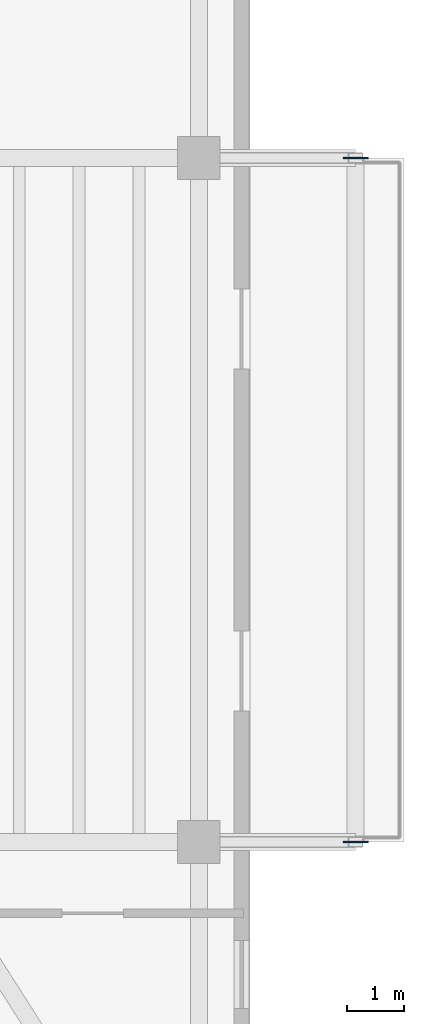
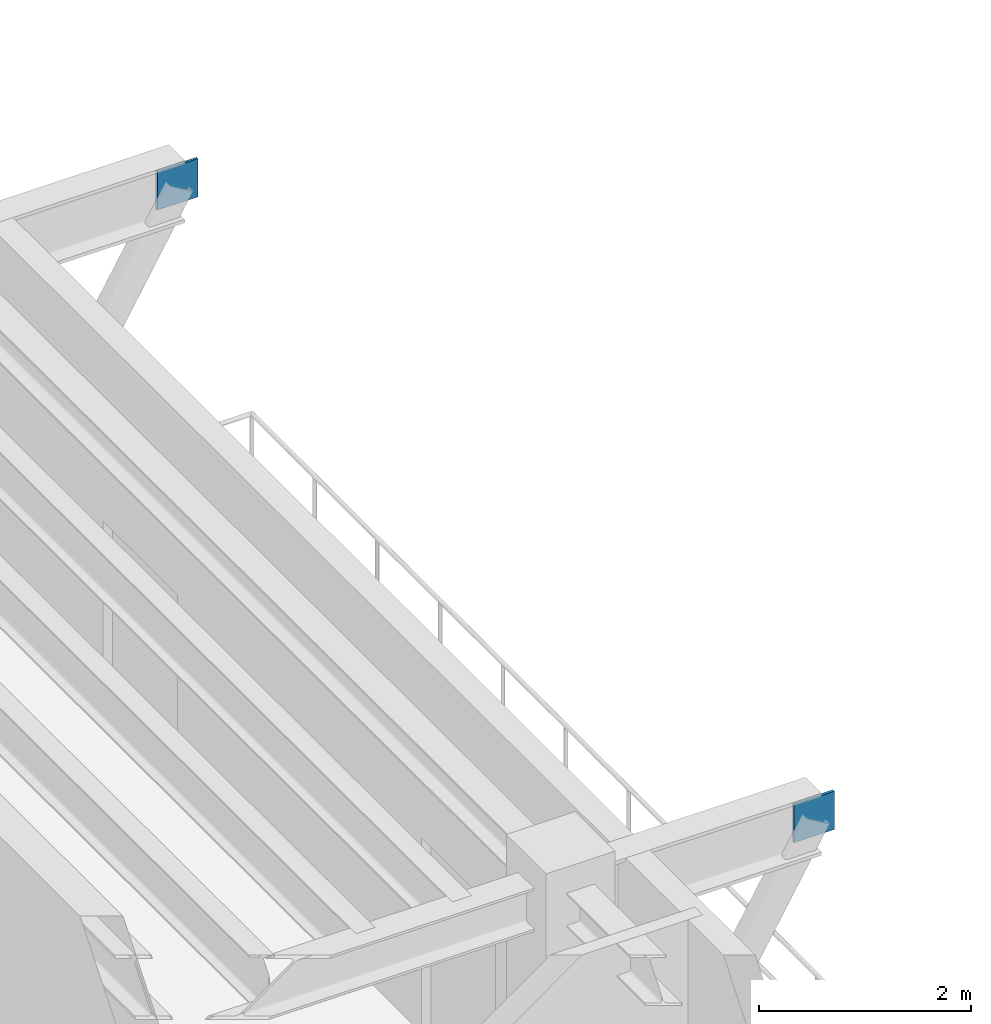
# One storey, part 10 of 23: 2 plates.
"""IFC4 building model written with IfcOpenShell, lengths in metres."""

from ifc_helpers import new_model, si_unit, direction, frame, origin, origin_2d, place, context, subcontext, project, spatial, rectangle, extrude, material, layer, layer_set, type_object, element, save


model = new_model("IFC4")

# Units and contexts
model_context = context("Model", 3, precision=1e-05, world=origin(), true_north=direction((0.0, 1.0)))
body_context = subcontext(model_context, "Body", "Model", "MODEL_VIEW")
ifc_project = project(units=[si_unit("LENGTHUNIT", "METRE"), si_unit("AREAUNIT", "SQUARE_METRE"), si_unit("VOLUMEUNIT", "CUBIC_METRE"), si_unit("PLANEANGLEUNIT", "RADIAN"), si_unit("MASSUNIT", "GRAM", prefix="KILO")], contexts=[model_context])

# Site, building, storey
site_placement = place(None, origin())
site = spatial("IfcSite", under=ifc_project, at=site_placement, CompositionType="ELEMENT")
building_placement = place(site_placement, origin())
building = spatial("IfcBuilding", under=site, at=building_placement, Name="Tarnavaz Court Tower", CompositionType="ELEMENT")
storey_placement = place(building_placement, frame((0.0, 0.0, 227.10009765625)))
storey = spatial("IfcBuildingStorey", under=building, at=storey_placement, Name="L62", CompositionType="ELEMENT", Elevation=227.10009765625)

# Plates
ifc_material = material(Name="Steel S355", Category="steel")
ifc_layer = layer(ifc_material, 0.030029296875)
ifc_layer_set = layer_set([ifc_layer], Name="Steel S355")
plate_type = type_object("IfcPlateType", Name="PL-GUSSET-30", PredefinedType="USERDEFINED", material=ifc_layer_set)
for number, where, z_axis, x_axis, name in (
    (1, (25.550048828125, -6.0, 3.77197265625), (0.0, 0.0, 1.0), (1.0, 0.0, 0.0), "L62 Structural Brace & Strut End Gusset Plate 109"),
    (2, (25.550048828125, 6.0, 3.77197265625), (0.0, 0.0, 1.0), (1.0, 0.0, 0.0), "L62 Structural Brace & Strut End Gusset Plate 110"),
):
    element("IfcPlate", number, at=place(storey_placement, frame(where, z_axis=z_axis, x_axis=x_axis)), inside=storey, type_object=plate_type, Name=name, ObjectType="GUSSET PLATE", PredefinedType="USERDEFINED", context=body_context, shape_type="SweptSolid", body=[
        extrude(rectangle(XDim=0.43994140625, YDim=0.030029296875, at=origin_2d()), origin(), (0.0, 0.0, 1.0), 0.43994140625),
    ])

save(model, "model.ifc")
